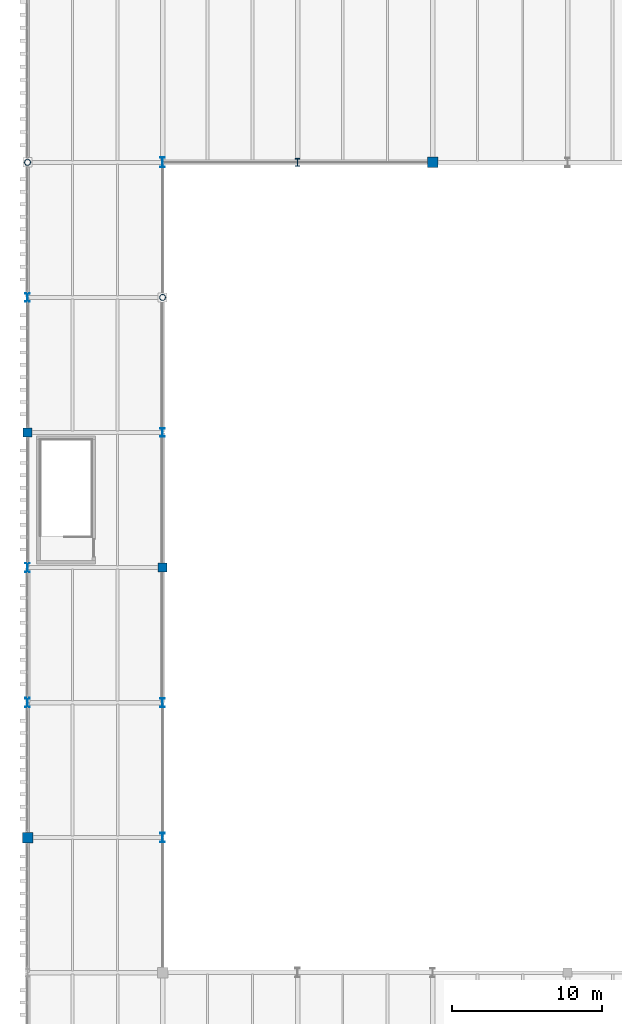
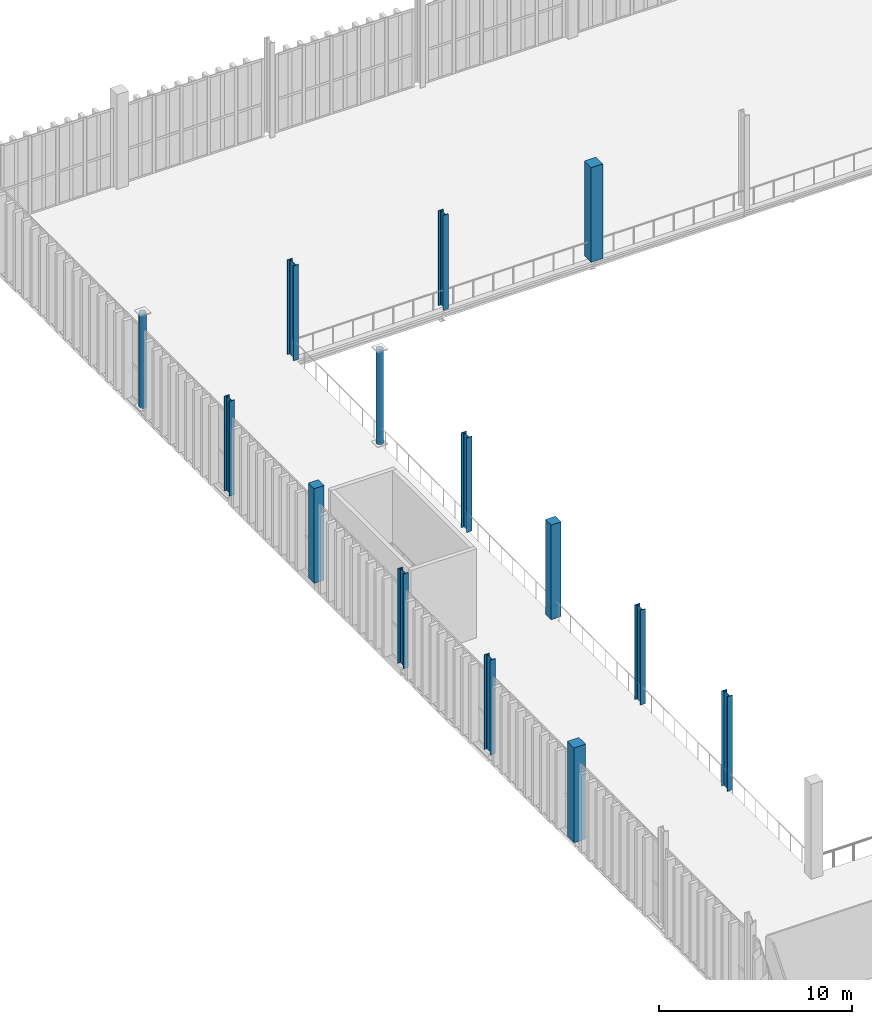
# One storey, part 8 of 211: 14 columns.
"""IFC4 building model written with IfcOpenShell, lengths in metres."""

from ifc_helpers import new_model, si_unit, direction, frame, origin, origin_2d, place, context, subcontext, project, spatial, rectangle, hollow_circle, i_section, extrude, material, material_profile, profile_set, type_object, element, save


model = new_model("IFC4")

# Units and contexts
model_context = context("Model", 3, precision=1e-05, world=origin(), true_north=direction((0.0, 1.0)))
body_context = subcontext(model_context, "Body", "Model", "MODEL_VIEW")
ifc_project = project(units=[si_unit("LENGTHUNIT", "METRE"), si_unit("AREAUNIT", "SQUARE_METRE"), si_unit("VOLUMEUNIT", "CUBIC_METRE"), si_unit("PLANEANGLEUNIT", "RADIAN"), si_unit("MASSUNIT", "GRAM", prefix="KILO")], contexts=[model_context])

# Site, building, storey
site_placement = place(None, origin())
site = spatial("IfcSite", under=ifc_project, at=site_placement, CompositionType="ELEMENT")
building_placement = place(site_placement, origin())
building = spatial("IfcBuilding", under=site, at=building_placement, Name="Barlavento Convention Centre", CompositionType="ELEMENT")
storey_placement = place(building_placement, frame((0.0, 0.0, 6.0)))
storey = spatial("IfcBuildingStorey", under=building, at=storey_placement, Name="L01", CompositionType="ELEMENT", Elevation=6.0)

# Columns
ifc_material_1 = material(Name="Steel S355", Category="steel")
ifc_material_profile_1 = material_profile(ifc_material_1, hollow_circle(Radius=0.203125, WallThickness=0.01611328125, at=origin_2d()), Name="CHS 406.4x16.0")
ifc_profile_set_1 = profile_set([ifc_material_profile_1], Name="Steel S355")
column_type_1 = type_object("IfcColumnType", Name="STR-COL-CHS406", PredefinedType="COLUMN", material=ifc_profile_set_1)
for number, where, z_axis, x_axis, name in (
    (1, (0.0, 117.0, 0.0), (0.0, 0.0, 1.0), (1.0, 0.0, 0.0), "L01 column SC14"),
    (2, (9.0, 108.0, 0.0), (0.0, 0.0, 1.0), (1.0, 0.0, 0.0), "L01 column SC14"),
):
    element("IfcColumn", number, at=place(storey_placement, frame(where, z_axis=z_axis, x_axis=x_axis)), inside=storey, type_object=column_type_1, Name=name, PredefinedType="COLUMN", context=body_context, shape_type="SweptSolid", body=[
        extrude(hollow_circle(Radius=0.203125, WallThickness=0.01611328125, at=origin_2d()), origin(), (0.0, 0.0, 1.0), 6.0),
    ])
ifc_material_profile_2 = material_profile(ifc_material_1, i_section(OverallWidth=0.300048828125, OverallDepth=0.60009765625, WebThickness=0.015380859375, FlangeThickness=0.030029296875, FilletRadius=0.027099609375, at=origin_2d()), Name="HEB 600")
ifc_profile_set_2 = profile_set([ifc_material_profile_2], Name="Steel S355")
column_type_2 = type_object("IfcColumnType", Name="STR-COL-HEB600", PredefinedType="COLUMN", material=ifc_profile_set_2)
for number, where, z_axis, x_axis, name in (
    (3, (0.0, 90.0, 0.0), (0.0, 0.0, 1.0), (1.0, 0.0, 0.0), "L01 column SC08"),
    (4, (9.0, 81.0, 0.0), (0.0, 0.0, 1.0), (1.0, 0.0, 0.0), "L01 column SC08"),
):
    element("IfcColumn", number, at=place(storey_placement, frame(where, z_axis=z_axis, x_axis=x_axis)), inside=storey, type_object=column_type_2, Name=name, PredefinedType="COLUMN", context=body_context, shape_type="SweptSolid", body=[
        extrude(i_section(OverallWidth=0.300048828125, OverallDepth=0.60009765625, WebThickness=0.015380859375, FlangeThickness=0.030029296875, FilletRadius=0.027099609375, at=origin_2d()), origin(), (0.0, 0.0, 1.0), 6.0),
    ])
ifc_material_profile_3 = material_profile(ifc_material_1, i_section(OverallWidth=0.305908203125, OverallDepth=0.52392578125, WebThickness=0.02099609375, FlangeThickness=0.0400390625, FilletRadius=0.027099609375, at=origin_2d()), Name="HEM 500")
ifc_profile_set_3 = profile_set([ifc_material_profile_3], Name="Steel S355")
column_type_3 = type_object("IfcColumnType", Name="STR-COL-HEM500", PredefinedType="COLUMN", material=ifc_profile_set_3)
column_1_placement = place(storey_placement, frame((18.0, 117.0, 0.0), z_axis=(0.0, 0.0, 1.0), x_axis=(1.0, 0.0, 0.0)))
element("IfcColumn", 5, at=column_1_placement, inside=storey, type_object=column_type_3, Name="L01 column SC07", PredefinedType="COLUMN", context=body_context, shape_type="SweptSolid", body=[
    extrude(i_section(OverallWidth=0.305908203125, OverallDepth=0.52392578125, WebThickness=0.02099609375, FlangeThickness=0.0400390625, FilletRadius=0.027099609375, at=origin_2d()), origin(), (0.0, 0.0, 1.0), 6.0),
])
ifc_material_profile_4 = material_profile(ifc_material_1, i_section(OverallWidth=0.305908203125, OverallDepth=0.572021484375, WebThickness=0.02099609375, FlangeThickness=0.0400390625, FilletRadius=0.027099609375, at=origin_2d()), Name="HEM 550")
ifc_profile_set_4 = profile_set([ifc_material_profile_4], Name="Steel S355")
column_type_4 = type_object("IfcColumnType", Name="STR-COL-HEM550", PredefinedType="COLUMN", material=ifc_profile_set_4)
for number, where, z_axis, x_axis, name in (
    (6, (0.0, 108.0, 0.0), (0.0, 0.0, 1.0), (1.0, 0.0, 0.0), "L01 column SC06"),
    (7, (9.0, 99.0, 0.0), (0.0, 0.0, 1.0), (1.0, 0.0, 0.0), "L01 column SC06"),
):
    element("IfcColumn", number, at=place(storey_placement, frame(where, z_axis=z_axis, x_axis=x_axis)), inside=storey, type_object=column_type_4, Name=name, PredefinedType="COLUMN", context=body_context, shape_type="SweptSolid", body=[
        extrude(i_section(OverallWidth=0.305908203125, OverallDepth=0.572021484375, WebThickness=0.02099609375, FlangeThickness=0.0400390625, FilletRadius=0.027099609375, at=origin_2d()), origin(), (0.0, 0.0, 1.0), 6.0),
    ])
ifc_material_profile_5 = material_profile(ifc_material_1, i_section(OverallWidth=0.304931640625, OverallDepth=0.6201171875, WebThickness=0.02099609375, FlangeThickness=0.0400390625, FilletRadius=0.027099609375, at=origin_2d()), Name="HEM 600")
ifc_profile_set_5 = profile_set([ifc_material_profile_5], Name="Steel S355")
column_type_5 = type_object("IfcColumnType", Name="STR-COL-HEM600", PredefinedType="COLUMN", material=ifc_profile_set_5)
for number, where, z_axis, x_axis, name in (
    (8, (0.0, 81.0, 0.0), (0.0, 0.0, 1.0), (1.0, 0.0, 0.0), "L01 column SC05"),
    (9, (9.0, 72.0, 0.0), (0.0, 0.0, 1.0), (1.0, 0.0, 0.0), "L01 column SC05"),
):
    element("IfcColumn", number, at=place(storey_placement, frame(where, z_axis=z_axis, x_axis=x_axis)), inside=storey, type_object=column_type_5, Name=name, PredefinedType="COLUMN", context=body_context, shape_type="SweptSolid", body=[
        extrude(i_section(OverallWidth=0.304931640625, OverallDepth=0.6201171875, WebThickness=0.02099609375, FlangeThickness=0.0400390625, FilletRadius=0.027099609375, at=origin_2d()), origin(), (0.0, 0.0, 1.0), 6.0),
    ])
ifc_material_2 = material(Name="Steel S460", Category="steel")
ifc_material_profile_6 = material_profile(ifc_material_2, i_section(OverallWidth=0.304931640625, OverallDepth=0.66796875, WebThickness=0.02099609375, FlangeThickness=0.0400390625, FilletRadius=0.027099609375, at=origin_2d()), Name="HEM 650")
ifc_profile_set_6 = profile_set([ifc_material_profile_6], Name="Steel S460")
column_type_6 = type_object("IfcColumnType", Name="STR-COL-HEM650", PredefinedType="COLUMN", material=ifc_profile_set_6)
column_2_placement = place(storey_placement, frame((9.0, 117.0, 0.0), z_axis=(0.0, 0.0, 1.0), x_axis=(1.0, 0.0, 0.0)))
element("IfcColumn", 10, at=column_2_placement, inside=storey, type_object=column_type_6, Name="L01 column SC04", PredefinedType="COLUMN", context=body_context, shape_type="SweptSolid", body=[
    extrude(i_section(OverallWidth=0.304931640625, OverallDepth=0.66796875, WebThickness=0.02099609375, FlangeThickness=0.0400390625, FilletRadius=0.027099609375, at=origin_2d()), origin(), (0.0, 0.0, 1.0), 6.0),
])
ifc_material_3 = material(Name="Concrete C40/50", Category="concrete")
ifc_material_profile_7 = material_profile(ifc_material_3, rectangle(XDim=0.60009765625, YDim=0.60009765625, at=origin_2d()), Name="RC 600x600")
ifc_profile_set_7 = profile_set([ifc_material_profile_7], Name="Concrete C40/50")
column_type_7 = type_object("IfcColumnType", Name="STR-COL-RC600", PredefinedType="COLUMN", material=ifc_profile_set_7)
for number, where, z_axis, x_axis, name in (
    (11, (0.0, 99.0, 0.0), (0.0, 0.0, 1.0), (1.0, 0.0, 0.0), "L01 column CC07"),
    (12, (9.0, 90.0, 0.0), (0.0, 0.0, 1.0), (1.0, 0.0, 0.0), "L01 column CC07"),
):
    element("IfcColumn", number, at=place(storey_placement, frame(where, z_axis=z_axis, x_axis=x_axis)), inside=storey, type_object=column_type_7, Name=name, PredefinedType="COLUMN", context=body_context, shape_type="SweptSolid", body=[
        extrude(rectangle(XDim=0.60009765625, YDim=0.60009765625, at=origin_2d()), origin(), (0.0, 0.0, 1.0), 6.0),
    ])
ifc_material_profile_8 = material_profile(ifc_material_3, rectangle(XDim=0.699951171875, YDim=0.699951171875, at=origin_2d()), Name="RC 700x700")
ifc_profile_set_8 = profile_set([ifc_material_profile_8], Name="Concrete C40/50")
column_type_8 = type_object("IfcColumnType", Name="STR-COL-RC700", PredefinedType="COLUMN", material=ifc_profile_set_8)
for number, where, z_axis, x_axis, name in (
    (13, (0.0, 72.0, 0.0), (0.0, 0.0, 1.0), (1.0, 0.0, 0.0), "L01 column CC06"),
    (14, (27.0, 117.0, 0.0), (0.0, 0.0, 1.0), (1.0, 0.0, 0.0), "L01 column CC06"),
):
    element("IfcColumn", number, at=place(storey_placement, frame(where, z_axis=z_axis, x_axis=x_axis)), inside=storey, type_object=column_type_8, Name=name, PredefinedType="COLUMN", context=body_context, shape_type="SweptSolid", body=[
        extrude(rectangle(XDim=0.699951171875, YDim=0.699951171875, at=origin_2d()), origin(), (0.0, 0.0, 1.0), 6.0),
    ])

save(model, "model.ifc")
